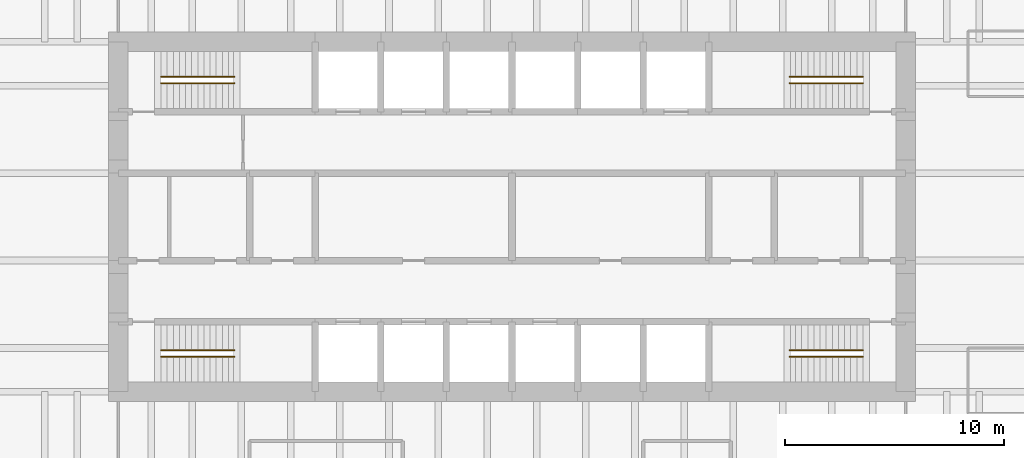
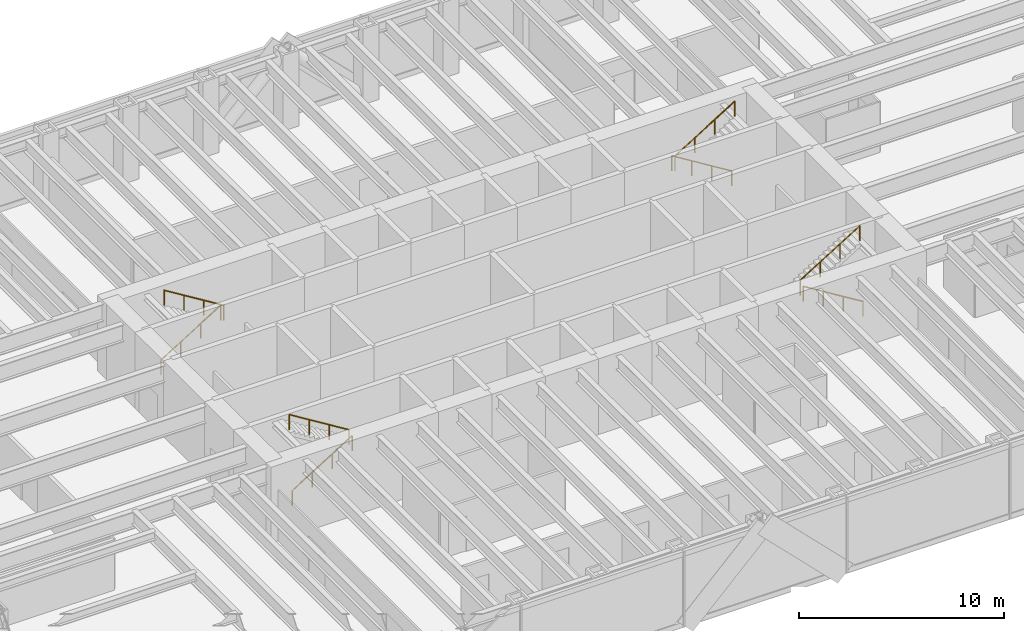
# One storey, part 13 of 13: 8 railings.
"""IFC4 building model written with IfcOpenShell, lengths in metres."""

from ifc_helpers import new_model, si_unit, direction, frame, origin, origin_2d, place, context, subcontext, project, spatial, circle, extrude, material, type_object, element, save


model = new_model("IFC4")

# Units and contexts
model_context = context("Model", 3, precision=1e-05, world=origin(), true_north=direction((0.0, 1.0)))
body_context = subcontext(model_context, "Body", "Model", "MODEL_VIEW")
ifc_project = project(units=[si_unit("LENGTHUNIT", "METRE"), si_unit("AREAUNIT", "SQUARE_METRE"), si_unit("VOLUMEUNIT", "CUBIC_METRE"), si_unit("PLANEANGLEUNIT", "RADIAN"), si_unit("MASSUNIT", "GRAM", prefix="KILO")], contexts=[model_context])

# Site, building, storey
site_placement = place(None, origin())
site = spatial("IfcSite", under=ifc_project, at=site_placement, CompositionType="ELEMENT")
building_placement = place(site_placement, origin())
building = spatial("IfcBuilding", under=site, at=building_placement, Name="Rheinbord Bourse Tower", CompositionType="ELEMENT")
storey_placement = place(building_placement, frame((0.0, 0.0, 27.5)))
storey = spatial("IfcBuildingStorey", under=building, at=storey_placement, Name="L05", CompositionType="ELEMENT", Elevation=27.5)

# Railings
ifc_material = material(Name="Steel handrail", Category="steel")
railing_type = type_object("IfcRailingType", Name="HANDRAIL 900", PredefinedType="HANDRAIL", material=ifc_material)
railing_1_placement = place(storey_placement, frame((19.949951171875, 17.60009765625, 0.173095703125)))
element("IfcRailing", 1, at=railing_1_placement, inside=storey, type_object=railing_type, Name="Handrail", PredefinedType="HANDRAIL", context=body_context, shape_type="SweptSolid", body=[
    extrude(circle(Radius=0.02392578125, at=origin_2d()), frame((0.0, 0.0, 0.8759765625), z_axis=(0.850623216509, 0.0, 0.525775754039), x_axis=(0.0, 1.0, 0.0)), (0.0, 0.0, 1.0), 3.9501953125),
    extrude(circle(Radius=0.02099609375, at=origin_2d()), origin(), (0.0, 0.0, 1.0), 0.851806640625),
    extrude(circle(Radius=0.02099609375, at=origin_2d()), frame((1.1201171875, 0.0, 0.6923828125)), (0.0, 0.0, 1.0), 0.851806640625),
    extrude(circle(Radius=0.02099609375, at=origin_2d()), frame((2.239990234375, 0.0, 1.384521484375)), (0.0, 0.0, 1.0), 0.851806640625),
    extrude(circle(Radius=0.02099609375, at=origin_2d()), frame((3.360107421875, 0.0, 2.076904296875)), (0.0, 0.0, 1.0), 0.851806640625),
])
railing_2_placement = place(storey_placement, frame((23.31005859375, 17.89990234375, 2.423095703125)))
element("IfcRailing", 2, at=railing_2_placement, inside=storey, type_object=railing_type, Name="Handrail", PredefinedType="HANDRAIL", context=body_context, shape_type="SweptSolid", body=[
    extrude(circle(Radius=0.02392578125, at=origin_2d()), frame((0.0, 0.0, 0.8759765625), z_axis=(-0.850623216509, 0.0, 0.525775754039), x_axis=(0.0, -1.0, 0.0)), (0.0, 0.0, 1.0), 3.9501953125),
    extrude(circle(Radius=0.02099609375, at=origin_2d()), origin(), (0.0, 0.0, 1.0), 0.851806640625),
    extrude(circle(Radius=0.02099609375, at=origin_2d()), frame((-1.1201171875, 0.0, 0.6923828125)), (0.0, 0.0, 1.0), 0.851806640625),
    extrude(circle(Radius=0.02099609375, at=origin_2d()), frame((-2.239990234375, 0.0, 1.384521484375)), (0.0, 0.0, 1.0), 0.851806640625),
    extrude(circle(Radius=0.02099609375, at=origin_2d()), frame((-3.360107421875, 0.0, 2.076904296875)), (0.0, 0.0, 1.0), 0.851806640625),
])
railing_3_placement = place(storey_placement, frame((19.949951171875, 30.39990234375, 0.173095703125)))
element("IfcRailing", 3, at=railing_3_placement, inside=storey, type_object=railing_type, Name="Handrail", PredefinedType="HANDRAIL", context=body_context, shape_type="SweptSolid", body=[
    extrude(circle(Radius=0.02392578125, at=origin_2d()), frame((0.0, 0.0, 0.8759765625), z_axis=(0.850623216509, 0.0, 0.525775754039), x_axis=(0.0, 1.0, 0.0)), (0.0, 0.0, 1.0), 3.9501953125),
    extrude(circle(Radius=0.02099609375, at=origin_2d()), origin(), (0.0, 0.0, 1.0), 0.851806640625),
    extrude(circle(Radius=0.02099609375, at=origin_2d()), frame((1.1201171875, 0.0, 0.6923828125)), (0.0, 0.0, 1.0), 0.851806640625),
    extrude(circle(Radius=0.02099609375, at=origin_2d()), frame((2.239990234375, 0.0, 1.384521484375)), (0.0, 0.0, 1.0), 0.851806640625),
    extrude(circle(Radius=0.02099609375, at=origin_2d()), frame((3.360107421875, 0.0, 2.076904296875)), (0.0, 0.0, 1.0), 0.851806640625),
])
for number, where, name in (
    (4, (23.31005859375, 30.10009765625, 2.423095703125), "Handrail"),
    (5, (52.050048828125, 17.60009765625, 0.173095703125), "Handrail"),
):
    element("IfcRailing", number, at=place(storey_placement, frame(where)), inside=storey, type_object=railing_type, Name=name, PredefinedType="HANDRAIL", context=body_context, shape_type="SweptSolid", body=[
        extrude(circle(Radius=0.02392578125, at=origin_2d()), frame((0.0, 0.0, 0.8759765625), z_axis=(-0.850623216509, 0.0, 0.525775754039), x_axis=(0.0, -1.0, 0.0)), (0.0, 0.0, 1.0), 3.9501953125),
        extrude(circle(Radius=0.02099609375, at=origin_2d()), origin(), (0.0, 0.0, 1.0), 0.851806640625),
        extrude(circle(Radius=0.02099609375, at=origin_2d()), frame((-1.1201171875, 0.0, 0.6923828125)), (0.0, 0.0, 1.0), 0.851806640625),
        extrude(circle(Radius=0.02099609375, at=origin_2d()), frame((-2.239990234375, 0.0, 1.384521484375)), (0.0, 0.0, 1.0), 0.851806640625),
        extrude(circle(Radius=0.02099609375, at=origin_2d()), frame((-3.360107421875, 0.0, 2.076904296875)), (0.0, 0.0, 1.0), 0.851806640625),
    ])
railing_4_placement = place(storey_placement, frame((48.68994140625, 17.89990234375, 2.423095703125)))
element("IfcRailing", 6, at=railing_4_placement, inside=storey, type_object=railing_type, Name="Handrail", PredefinedType="HANDRAIL", context=body_context, shape_type="SweptSolid", body=[
    extrude(circle(Radius=0.02392578125, at=origin_2d()), frame((0.0, 0.0, 0.8759765625), z_axis=(0.850623216509, 0.0, 0.525775754039), x_axis=(0.0, 1.0, 0.0)), (0.0, 0.0, 1.0), 3.9501953125),
    extrude(circle(Radius=0.02099609375, at=origin_2d()), origin(), (0.0, 0.0, 1.0), 0.851806640625),
    extrude(circle(Radius=0.02099609375, at=origin_2d()), frame((1.1201171875, 0.0, 0.6923828125)), (0.0, 0.0, 1.0), 0.851806640625),
    extrude(circle(Radius=0.02099609375, at=origin_2d()), frame((2.239990234375, 0.0, 1.384521484375)), (0.0, 0.0, 1.0), 0.851806640625),
    extrude(circle(Radius=0.02099609375, at=origin_2d()), frame((3.360107421875, 0.0, 2.076904296875)), (0.0, 0.0, 1.0), 0.851806640625),
])
railing_5_placement = place(storey_placement, frame((52.050048828125, 30.39990234375, 0.173095703125)))
element("IfcRailing", 7, at=railing_5_placement, inside=storey, type_object=railing_type, Name="Handrail", PredefinedType="HANDRAIL", context=body_context, shape_type="SweptSolid", body=[
    extrude(circle(Radius=0.02392578125, at=origin_2d()), frame((0.0, 0.0, 0.8759765625), z_axis=(-0.850623216509, 0.0, 0.525775754039), x_axis=(0.0, -1.0, 0.0)), (0.0, 0.0, 1.0), 3.9501953125),
    extrude(circle(Radius=0.02099609375, at=origin_2d()), origin(), (0.0, 0.0, 1.0), 0.851806640625),
    extrude(circle(Radius=0.02099609375, at=origin_2d()), frame((-1.1201171875, 0.0, 0.6923828125)), (0.0, 0.0, 1.0), 0.851806640625),
    extrude(circle(Radius=0.02099609375, at=origin_2d()), frame((-2.239990234375, 0.0, 1.384521484375)), (0.0, 0.0, 1.0), 0.851806640625),
    extrude(circle(Radius=0.02099609375, at=origin_2d()), frame((-3.360107421875, 0.0, 2.076904296875)), (0.0, 0.0, 1.0), 0.851806640625),
])
railing_6_placement = place(storey_placement, frame((48.68994140625, 30.10009765625, 2.423095703125)))
element("IfcRailing", 8, at=railing_6_placement, inside=storey, type_object=railing_type, Name="Handrail", PredefinedType="HANDRAIL", context=body_context, shape_type="SweptSolid", body=[
    extrude(circle(Radius=0.02392578125, at=origin_2d()), frame((0.0, 0.0, 0.8759765625), z_axis=(0.850623216509, 0.0, 0.525775754039), x_axis=(0.0, 1.0, 0.0)), (0.0, 0.0, 1.0), 3.9501953125),
    extrude(circle(Radius=0.02099609375, at=origin_2d()), origin(), (0.0, 0.0, 1.0), 0.851806640625),
    extrude(circle(Radius=0.02099609375, at=origin_2d()), frame((1.1201171875, 0.0, 0.6923828125)), (0.0, 0.0, 1.0), 0.851806640625),
    extrude(circle(Radius=0.02099609375, at=origin_2d()), frame((2.239990234375, 0.0, 1.384521484375)), (0.0, 0.0, 1.0), 0.851806640625),
    extrude(circle(Radius=0.02099609375, at=origin_2d()), frame((3.360107421875, 0.0, 2.076904296875)), (0.0, 0.0, 1.0), 0.851806640625),
])

save(model, "model.ifc")
